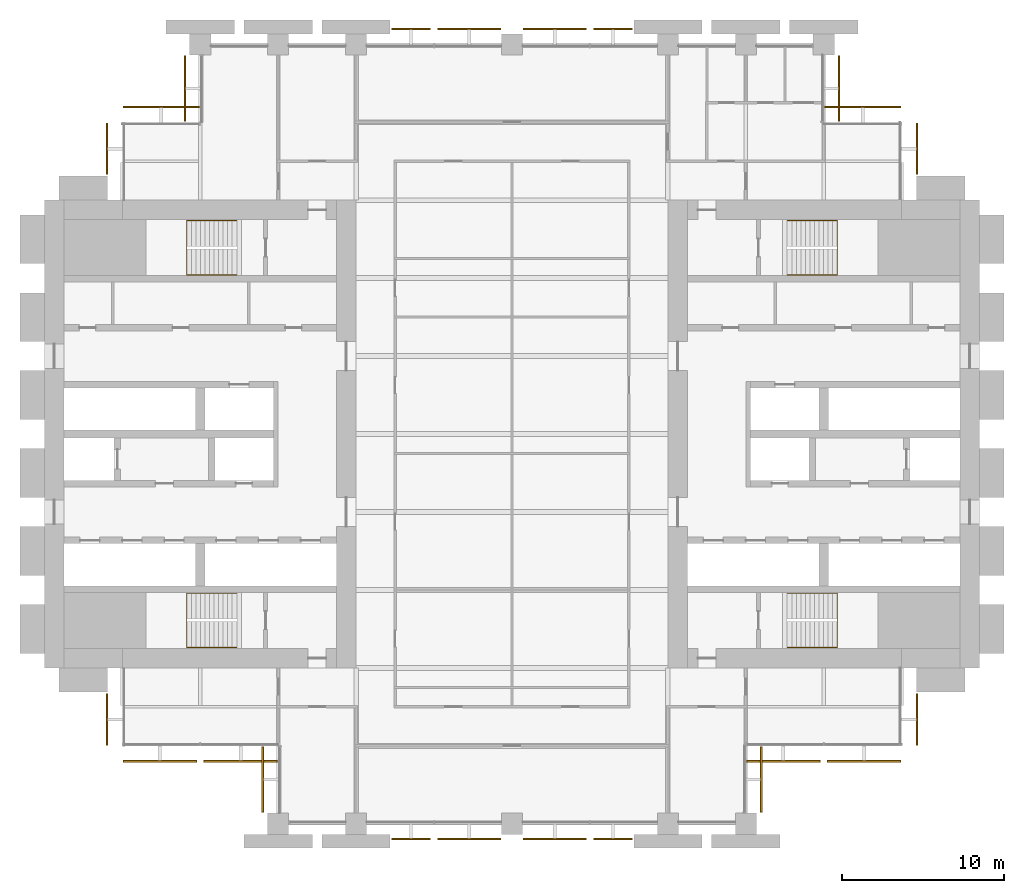
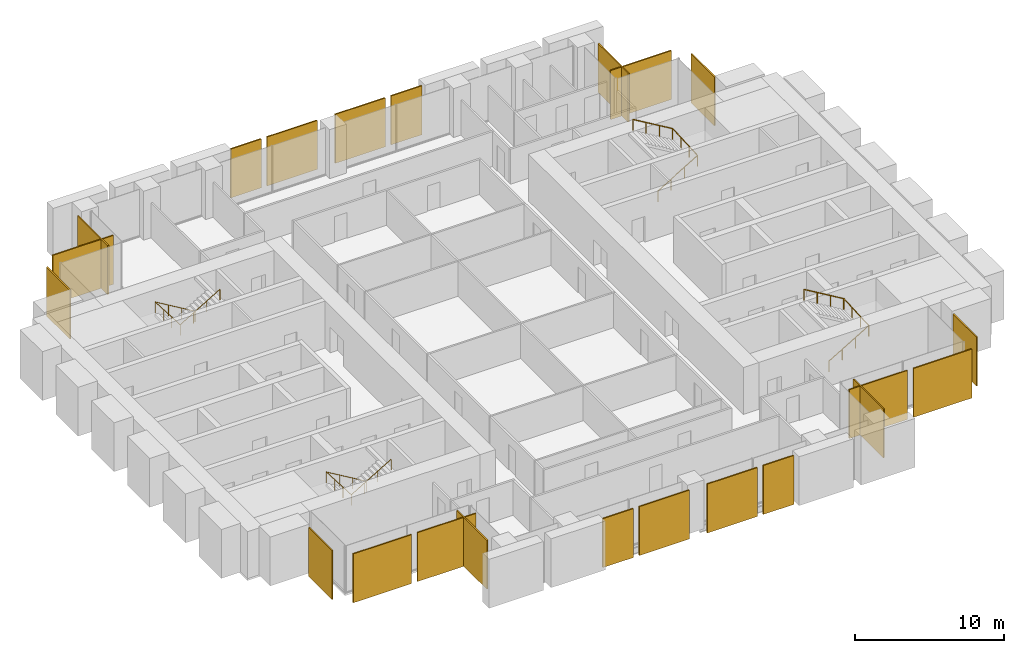
# One storey, part 14 of 14: 22 coverings, 4 railings.
"""IFC4 building model written with IfcOpenShell, lengths in metres."""

from ifc_helpers import new_model, si_unit, direction, frame, origin, origin_2d, place, context, subcontext, project, spatial, polyline, circle, outline, extrude, material, layer, layer_set, type_object, element, save


model = new_model("IFC4")

# Units and contexts
model_context = context("Model", 3, precision=1e-05, world=origin(), true_north=direction((0.0, 1.0)))
body_context = subcontext(model_context, "Body", "Model", "MODEL_VIEW")
ifc_project = project(units=[si_unit("LENGTHUNIT", "METRE"), si_unit("AREAUNIT", "SQUARE_METRE"), si_unit("VOLUMEUNIT", "CUBIC_METRE"), si_unit("PLANEANGLEUNIT", "RADIAN"), si_unit("MASSUNIT", "GRAM", prefix="KILO")], contexts=[model_context])

# Site, building, storey
site_placement = place(None, origin())
site = spatial("IfcSite", under=ifc_project, at=site_placement, CompositionType="ELEMENT")
building_placement = place(site_placement, origin())
building = spatial("IfcBuilding", under=site, at=building_placement, Name="Baori Bourse Tower", CompositionType="ELEMENT")
storey_placement = place(building_placement, frame((0.0, 0.0, 79.0)))
storey = spatial("IfcBuildingStorey", under=building, at=storey_placement, Name="L17", CompositionType="ELEMENT", Elevation=79.0)

# Railings
ifc_material_1 = material(Name="Powder-coated steel balustrade", Category="steel")
railing_type = type_object("IfcRailingType", Name="Core stair handrail", PredefinedType="HANDRAIL", material=ifc_material_1)
railing_1_placement = place(storey_placement, frame((11.85009765625, 14.199951171875, 0.166748046875)))
element("IfcRailing", 1, at=railing_1_placement, inside=storey, type_object=railing_type, Name="L17 ST1 stair handrail 1", PredefinedType="HANDRAIL", context=body_context, shape_type="SweptSolid", body=[
    extrude(circle(Radius=0.02392578125, at=origin_2d()), frame((0.0, 0.0, 0.8759765625), z_axis=(-0.859308565015, 0.0, 0.511457515432), x_axis=(0.0, -1.0, 0.0)), (0.0, 0.0, 1.0), 3.58447265625),
    extrude(circle(Radius=0.02392578125, at=origin_2d()), frame((-3.080078125, 0.0, 2.708984375), z_axis=(0.0, -0.998763387249, 0.04971615724), x_axis=(1.0, 0.0, 0.0)), (0.0, 0.0, 1.0), 3.35400390625),
    extrude(circle(Radius=0.02392578125, at=origin_2d()), frame((-3.080078125, -3.349853515625, 2.8759765625), z_axis=(0.859308565015, 0.0, 0.511457515432), x_axis=(0.0, 1.0, 0.0)), (0.0, 0.0, 1.0), 3.58447265625),
    extrude(circle(Radius=0.02099609375, at=origin_2d()), origin(), (0.0, 0.0, 1.0), 0.851806640625),
    extrude(circle(Radius=0.02099609375, at=origin_2d()), frame((-1.026611328125, 0.0, 0.611083984375)), (0.0, 0.0, 1.0), 0.851806640625),
    extrude(circle(Radius=0.02099609375, at=origin_2d()), frame((-2.053466796875, 0.0, 1.22216796875)), (0.0, 0.0, 1.0), 0.851806640625),
    extrude(circle(Radius=0.02099609375, at=origin_2d()), frame((-3.080078125, 0.0, 1.833251953125)), (0.0, 0.0, 1.0), 0.851806640625),
    extrude(circle(Radius=0.02099609375, at=origin_2d()), frame((-3.080078125, -1.11669921875, 1.888916015625)), (0.0, 0.0, 1.0), 0.851806640625),
    extrude(circle(Radius=0.02099609375, at=origin_2d()), frame((-3.080078125, -2.233154296875, 1.9443359375)), (0.0, 0.0, 1.0), 0.851806640625),
    extrude(circle(Radius=0.02099609375, at=origin_2d()), frame((-3.080078125, -3.349853515625, 2.0)), (0.0, 0.0, 1.0), 0.851806640625),
    extrude(circle(Radius=0.02099609375, at=origin_2d()), frame((-2.053466796875, -3.349853515625, 2.611083984375)), (0.0, 0.0, 1.0), 0.851806640625),
    extrude(circle(Radius=0.02099609375, at=origin_2d()), frame((-1.026611328125, -3.349853515625, 3.22216796875)), (0.0, 0.0, 1.0), 0.851806640625),
    extrude(circle(Radius=0.02099609375, at=origin_2d()), frame((0.0, -3.349853515625, 3.833251953125)), (0.0, 0.0, 1.0), 0.851806640625),
])
railing_2_placement = place(storey_placement, frame((11.85009765625, 37.14990234375, 0.166748046875)))
element("IfcRailing", 2, at=railing_2_placement, inside=storey, type_object=railing_type, Name="L17 ST2 stair handrail 1", PredefinedType="HANDRAIL", context=body_context, shape_type="SweptSolid", body=[
    extrude(circle(Radius=0.02392578125, at=origin_2d()), frame((0.0, 0.0, 0.8759765625), z_axis=(-0.859308565015, 0.0, 0.511457515432), x_axis=(0.0, -1.0, 0.0)), (0.0, 0.0, 1.0), 3.58447265625),
    extrude(circle(Radius=0.02392578125, at=origin_2d()), frame((-3.080078125, 0.0, 2.708984375), z_axis=(0.0, -0.998763387249, 0.04971615724), x_axis=(1.0, 0.0, 0.0)), (0.0, 0.0, 1.0), 3.35400390625),
    extrude(circle(Radius=0.02392578125, at=origin_2d()), frame((-3.080078125, -3.349853515625, 2.8759765625), z_axis=(0.859308565015, 0.0, 0.511457515432), x_axis=(0.0, 1.0, 0.0)), (0.0, 0.0, 1.0), 3.58447265625),
    extrude(circle(Radius=0.02099609375, at=origin_2d()), origin(), (0.0, 0.0, 1.0), 0.851806640625),
    extrude(circle(Radius=0.02099609375, at=origin_2d()), frame((-1.026611328125, 0.0, 0.611083984375)), (0.0, 0.0, 1.0), 0.851806640625),
    extrude(circle(Radius=0.02099609375, at=origin_2d()), frame((-2.053466796875, 0.0, 1.22216796875)), (0.0, 0.0, 1.0), 0.851806640625),
    extrude(circle(Radius=0.02099609375, at=origin_2d()), frame((-3.080078125, 0.0, 1.833251953125)), (0.0, 0.0, 1.0), 0.851806640625),
    extrude(circle(Radius=0.02099609375, at=origin_2d()), frame((-3.080078125, -1.11669921875, 1.888916015625)), (0.0, 0.0, 1.0), 0.851806640625),
    extrude(circle(Radius=0.02099609375, at=origin_2d()), frame((-3.080078125, -2.233154296875, 1.9443359375)), (0.0, 0.0, 1.0), 0.851806640625),
    extrude(circle(Radius=0.02099609375, at=origin_2d()), frame((-3.080078125, -3.349853515625, 2.0)), (0.0, 0.0, 1.0), 0.851806640625),
    extrude(circle(Radius=0.02099609375, at=origin_2d()), frame((-2.053466796875, -3.349853515625, 2.611083984375)), (0.0, 0.0, 1.0), 0.851806640625),
    extrude(circle(Radius=0.02099609375, at=origin_2d()), frame((-1.026611328125, -3.349853515625, 3.22216796875)), (0.0, 0.0, 1.0), 0.851806640625),
    extrude(circle(Radius=0.02099609375, at=origin_2d()), frame((0.0, -3.349853515625, 3.833251953125)), (0.0, 0.0, 1.0), 0.851806640625),
])
railing_3_placement = place(storey_placement, frame((45.75, 10.85009765625, 0.166748046875)))
element("IfcRailing", 3, at=railing_3_placement, inside=storey, type_object=railing_type, Name="L17 ST3 stair handrail 1", PredefinedType="HANDRAIL", context=body_context, shape_type="SweptSolid", body=[
    extrude(circle(Radius=0.02392578125, at=origin_2d()), frame((0.0, 0.0, 0.8759765625), z_axis=(0.859308565015, 0.0, 0.511457515432), x_axis=(0.0, 1.0, 0.0)), (0.0, 0.0, 1.0), 3.58447265625),
    extrude(circle(Radius=0.02392578125, at=origin_2d()), frame((3.080078125, 0.0, 2.708984375), z_axis=(0.0, 0.998763387249, 0.04971615724), x_axis=(-1.0, 0.0, 0.0)), (0.0, 0.0, 1.0), 3.35400390625),
    extrude(circle(Radius=0.02392578125, at=origin_2d()), frame((3.080078125, 3.349853515625, 2.8759765625), z_axis=(-0.859308565015, 0.0, 0.511457515432), x_axis=(0.0, -1.0, 0.0)), (0.0, 0.0, 1.0), 3.58447265625),
    extrude(circle(Radius=0.02099609375, at=origin_2d()), origin(), (0.0, 0.0, 1.0), 0.851806640625),
    extrude(circle(Radius=0.02099609375, at=origin_2d()), frame((1.026611328125, 0.0, 0.611083984375)), (0.0, 0.0, 1.0), 0.851806640625),
    extrude(circle(Radius=0.02099609375, at=origin_2d()), frame((2.053466796875, 0.0, 1.22216796875)), (0.0, 0.0, 1.0), 0.851806640625),
    extrude(circle(Radius=0.02099609375, at=origin_2d()), frame((3.080078125, 0.0, 1.833251953125)), (0.0, 0.0, 1.0), 0.851806640625),
    extrude(circle(Radius=0.02099609375, at=origin_2d()), frame((3.080078125, 1.11669921875, 1.888916015625)), (0.0, 0.0, 1.0), 0.851806640625),
    extrude(circle(Radius=0.02099609375, at=origin_2d()), frame((3.080078125, 2.233154296875, 1.9443359375)), (0.0, 0.0, 1.0), 0.851806640625),
    extrude(circle(Radius=0.02099609375, at=origin_2d()), frame((3.080078125, 3.349853515625, 2.0)), (0.0, 0.0, 1.0), 0.851806640625),
    extrude(circle(Radius=0.02099609375, at=origin_2d()), frame((2.053466796875, 3.349853515625, 2.611083984375)), (0.0, 0.0, 1.0), 0.851806640625),
    extrude(circle(Radius=0.02099609375, at=origin_2d()), frame((1.026611328125, 3.349853515625, 3.22216796875)), (0.0, 0.0, 1.0), 0.851806640625),
    extrude(circle(Radius=0.02099609375, at=origin_2d()), frame((0.0, 3.349853515625, 3.833251953125)), (0.0, 0.0, 1.0), 0.851806640625),
])
railing_4_placement = place(storey_placement, frame((45.75, 33.800048828125, 0.166748046875)))
element("IfcRailing", 4, at=railing_4_placement, inside=storey, type_object=railing_type, Name="L17 ST4 stair handrail 1", PredefinedType="HANDRAIL", context=body_context, shape_type="SweptSolid", body=[
    extrude(circle(Radius=0.02392578125, at=origin_2d()), frame((0.0, 0.0, 0.8759765625), z_axis=(0.859308565015, 0.0, 0.511457515432), x_axis=(0.0, 1.0, 0.0)), (0.0, 0.0, 1.0), 3.58447265625),
    extrude(circle(Radius=0.02392578125, at=origin_2d()), frame((3.080078125, 0.0, 2.708984375), z_axis=(0.0, 0.998763387249, 0.04971615724), x_axis=(-1.0, 0.0, 0.0)), (0.0, 0.0, 1.0), 3.35400390625),
    extrude(circle(Radius=0.02392578125, at=origin_2d()), frame((3.080078125, 3.349853515625, 2.8759765625), z_axis=(-0.859308565015, 0.0, 0.511457515432), x_axis=(0.0, -1.0, 0.0)), (0.0, 0.0, 1.0), 3.58447265625),
    extrude(circle(Radius=0.02099609375, at=origin_2d()), origin(), (0.0, 0.0, 1.0), 0.851806640625),
    extrude(circle(Radius=0.02099609375, at=origin_2d()), frame((1.026611328125, 0.0, 0.611083984375)), (0.0, 0.0, 1.0), 0.851806640625),
    extrude(circle(Radius=0.02099609375, at=origin_2d()), frame((2.053466796875, 0.0, 1.22216796875)), (0.0, 0.0, 1.0), 0.851806640625),
    extrude(circle(Radius=0.02099609375, at=origin_2d()), frame((3.080078125, 0.0, 1.833251953125)), (0.0, 0.0, 1.0), 0.851806640625),
    extrude(circle(Radius=0.02099609375, at=origin_2d()), frame((3.080078125, 1.11669921875, 1.888916015625)), (0.0, 0.0, 1.0), 0.851806640625),
    extrude(circle(Radius=0.02099609375, at=origin_2d()), frame((3.080078125, 2.233154296875, 1.9443359375)), (0.0, 0.0, 1.0), 0.851806640625),
    extrude(circle(Radius=0.02099609375, at=origin_2d()), frame((3.080078125, 3.349853515625, 2.0)), (0.0, 0.0, 1.0), 0.851806640625),
    extrude(circle(Radius=0.02099609375, at=origin_2d()), frame((2.053466796875, 3.349853515625, 2.611083984375)), (0.0, 0.0, 1.0), 0.851806640625),
    extrude(circle(Radius=0.02099609375, at=origin_2d()), frame((1.026611328125, 3.349853515625, 3.22216796875)), (0.0, 0.0, 1.0), 0.851806640625),
    extrude(circle(Radius=0.02099609375, at=origin_2d()), frame((0.0, 3.349853515625, 3.833251953125)), (0.0, 0.0, 1.0), 0.851806640625),
])

# Coverings
ifc_material_2 = material(Name="Pale anodised aluminium", Category="aluminium")
ifc_layer = layer(ifc_material_2, 0.10009765625)
ifc_layer_set = layer_set([ifc_layer], Name="OS3 Outer skin screen panel")
covering_type = type_object("IfcCoveringType", Name="OS3 Outer skin screen panel", PredefinedType="CLADDING", material=ifc_layer_set)
covering_1_placement = place(storey_placement, frame((0.0, 0.0, -0.159912109375)))
element("IfcCovering", 5, at=covering_1_placement, inside=storey, type_object=covering_type, Name="Outer skin screen L17 1", PredefinedType="CLADDING", context=body_context, shape_type="SweptSolid", body=[
    extrude(outline(polyline([(53.699951171875, 43.14990234375), (53.699951171875, 40.0), (53.800048828125, 40.0), (53.800048828125, 43.14990234375), (53.699951171875, 43.14990234375)])), origin(), (0.0, 0.0, 1.0), 4.0),
])
covering_2_placement = place(storey_placement, frame((0.0, 0.0, -0.159912109375)))
element("IfcCovering", 6, at=covering_2_placement, inside=storey, type_object=covering_type, Name="Outer skin screen L17 2", PredefinedType="CLADDING", context=body_context, shape_type="SweptSolid", body=[
    extrude(outline(polyline([(48.050048828125, 44.10009765625), (52.75, 44.10009765625), (52.75, 44.199951171875), (48.050048828125, 44.199951171875), (48.050048828125, 44.10009765625)])), origin(), (0.0, 0.0, 1.0), 4.0),
])
covering_3_placement = place(storey_placement, frame((0.0, 0.0, -0.159912109375)))
element("IfcCovering", 7, at=covering_3_placement, inside=storey, type_object=covering_type, Name="Outer skin screen L17 3", PredefinedType="CLADDING", context=body_context, shape_type="SweptSolid", body=[
    extrude(outline(polyline([(48.89990234375, 47.300048828125), (48.89990234375, 43.25), (49.0, 43.25), (49.0, 47.300048828125), (48.89990234375, 47.300048828125)])), origin(), (0.0, 0.0, 1.0), 4.0),
])
covering_4_placement = place(storey_placement, frame((0.0, 0.0, -0.159912109375)))
element("IfcCovering", 8, at=covering_4_placement, inside=storey, type_object=covering_type, Name="Outer skin screen L17 4", PredefinedType="CLADDING", context=body_context, shape_type="SweptSolid", body=[
    extrude(outline(polyline([(33.824951171875, 48.89990234375), (36.199951171875, 48.89990234375), (36.199951171875, 49.0), (33.824951171875, 49.0), (33.824951171875, 48.89990234375)])), origin(), (0.0, 0.0, 1.0), 4.0),
])
covering_5_placement = place(storey_placement, frame((0.0, 0.0, -0.159912109375)))
element("IfcCovering", 9, at=covering_5_placement, inside=storey, type_object=covering_type, Name="Outer skin screen L17 5", PredefinedType="CLADDING", context=body_context, shape_type="SweptSolid", body=[
    extrude(outline(polyline([(29.5, 48.89990234375), (33.375, 48.89990234375), (33.375, 49.0), (29.5, 49.0), (29.5, 48.89990234375)])), origin(), (0.0, 0.0, 1.0), 4.0),
])
covering_6_placement = place(storey_placement, frame((0.0, 0.0, -0.159912109375)))
element("IfcCovering", 10, at=covering_6_placement, inside=storey, type_object=covering_type, Name="Outer skin screen L17 6", PredefinedType="CLADDING", context=body_context, shape_type="SweptSolid", body=[
    extrude(outline(polyline([(24.22509765625, 48.89990234375), (28.10009765625, 48.89990234375), (28.10009765625, 49.0), (24.22509765625, 49.0), (24.22509765625, 48.89990234375)])), origin(), (0.0, 0.0, 1.0), 4.0),
])
covering_7_placement = place(storey_placement, frame((0.0, 0.0, -0.159912109375)))
element("IfcCovering", 11, at=covering_7_placement, inside=storey, type_object=covering_type, Name="Outer skin screen L17 7", PredefinedType="CLADDING", context=body_context, shape_type="SweptSolid", body=[
    extrude(outline(polyline([(21.39990234375, 48.89990234375), (23.77490234375, 48.89990234375), (23.77490234375, 49.0), (21.39990234375, 49.0), (21.39990234375, 48.89990234375)])), origin(), (0.0, 0.0, 1.0), 4.0),
])
covering_8_placement = place(storey_placement, frame((0.0, 0.0, -0.159912109375)))
element("IfcCovering", 12, at=covering_8_placement, inside=storey, type_object=covering_type, Name="Outer skin screen L17 8", PredefinedType="CLADDING", context=body_context, shape_type="SweptSolid", body=[
    extrude(outline(polyline([(8.699951171875, 43.25), (8.699951171875, 47.300048828125), (8.60009765625, 47.300048828125), (8.60009765625, 43.25), (8.699951171875, 43.25)])), origin(), (0.0, 0.0, 1.0), 4.0),
])
covering_9_placement = place(storey_placement, frame((0.0, 0.0, -0.159912109375)))
element("IfcCovering", 13, at=covering_9_placement, inside=storey, type_object=covering_type, Name="Outer skin screen L17 9", PredefinedType="CLADDING", context=body_context, shape_type="SweptSolid", body=[
    extrude(outline(polyline([(4.85009765625, 44.10009765625), (9.550048828125, 44.10009765625), (9.550048828125, 44.199951171875), (4.85009765625, 44.199951171875), (4.85009765625, 44.10009765625)])), origin(), (0.0, 0.0, 1.0), 4.0),
])
covering_10_placement = place(storey_placement, frame((0.0, 0.0, -0.159912109375)))
element("IfcCovering", 14, at=covering_10_placement, inside=storey, type_object=covering_type, Name="Outer skin screen L17 10", PredefinedType="CLADDING", context=body_context, shape_type="SweptSolid", body=[
    extrude(outline(polyline([(3.89990234375, 40.0), (3.89990234375, 43.14990234375), (3.800048828125, 43.14990234375), (3.800048828125, 40.0), (3.89990234375, 40.0), (3.89990234375, 40.0)])), origin(), (0.0, 0.0, 1.0), 4.0),
])
covering_11_placement = place(storey_placement, frame((0.0, 0.0, -0.159912109375)))
element("IfcCovering", 15, at=covering_11_placement, inside=storey, type_object=covering_type, Name="Outer skin screen L17 11", PredefinedType="CLADDING", context=body_context, shape_type="SweptSolid", body=[
    extrude(outline(polyline([(3.89990234375, 4.85009765625), (3.89990234375, 8.0), (3.89990234375, 8.0), (3.800048828125, 8.0), (3.800048828125, 4.85009765625), (3.89990234375, 4.85009765625)])), origin(), (0.0, 0.0, 1.0), 4.0),
])
covering_12_placement = place(storey_placement, frame((0.0, 0.0, -0.159912109375)))
element("IfcCovering", 16, at=covering_12_placement, inside=storey, type_object=covering_type, Name="Outer skin screen L17 12", PredefinedType="CLADDING", context=body_context, shape_type="SweptSolid", body=[
    extrude(outline(polyline([(9.375, 3.89990234375), (4.85009765625, 3.89990234375), (4.85009765625, 3.800048828125), (9.375, 3.800048828125), (9.375, 3.89990234375)])), origin(), (0.0, 0.0, 1.0), 4.0),
])
covering_13_placement = place(storey_placement, frame((0.0, 0.0, -0.159912109375)))
element("IfcCovering", 17, at=covering_13_placement, inside=storey, type_object=covering_type, Name="Outer skin screen L17 13", PredefinedType="CLADDING", context=body_context, shape_type="SweptSolid", body=[
    extrude(outline(polyline([(14.35009765625, 3.89990234375), (9.824951171875, 3.89990234375), (9.824951171875, 3.800048828125), (14.35009765625, 3.800048828125), (14.35009765625, 3.89990234375)])), origin(), (0.0, 0.0, 1.0), 4.0),
])
covering_14_placement = place(storey_placement, frame((0.0, 0.0, -0.159912109375)))
element("IfcCovering", 18, at=covering_14_placement, inside=storey, type_object=covering_type, Name="Outer skin screen L17 14", PredefinedType="CLADDING", context=body_context, shape_type="SweptSolid", body=[
    extrude(outline(polyline([(13.5, 0.699951171875), (13.5, 4.75), (13.39990234375, 4.75), (13.39990234375, 0.699951171875), (13.5, 0.699951171875)])), origin(), (0.0, 0.0, 1.0), 4.0),
])
covering_15_placement = place(storey_placement, frame((0.0, 0.0, -0.159912109375)))
element("IfcCovering", 19, at=covering_15_placement, inside=storey, type_object=covering_type, Name="Outer skin screen L17 15", PredefinedType="CLADDING", context=body_context, shape_type="SweptSolid", body=[
    extrude(outline(polyline([(23.77490234375, -0.89990234375), (21.39990234375, -0.89990234375), (21.39990234375, -1.0), (23.77490234375, -1.0), (23.77490234375, -0.89990234375)])), origin(), (0.0, 0.0, 1.0), 4.0),
])
covering_16_placement = place(storey_placement, frame((0.0, 0.0, -0.159912109375)))
element("IfcCovering", 20, at=covering_16_placement, inside=storey, type_object=covering_type, Name="Outer skin screen L17 16", PredefinedType="CLADDING", context=body_context, shape_type="SweptSolid", body=[
    extrude(outline(polyline([(28.10009765625, -0.89990234375), (24.22509765625, -0.89990234375), (24.22509765625, -1.0), (28.10009765625, -1.0), (28.10009765625, -0.89990234375)])), origin(), (0.0, 0.0, 1.0), 4.0),
])
covering_17_placement = place(storey_placement, frame((0.0, 0.0, -0.159912109375)))
element("IfcCovering", 21, at=covering_17_placement, inside=storey, type_object=covering_type, Name="Outer skin screen L17 17", PredefinedType="CLADDING", context=body_context, shape_type="SweptSolid", body=[
    extrude(outline(polyline([(33.375, -0.89990234375), (29.5, -0.89990234375), (29.5, -1.0), (33.375, -1.0), (33.375, -0.89990234375)])), origin(), (0.0, 0.0, 1.0), 4.0),
])
covering_18_placement = place(storey_placement, frame((0.0, 0.0, -0.159912109375)))
element("IfcCovering", 22, at=covering_18_placement, inside=storey, type_object=covering_type, Name="Outer skin screen L17 18", PredefinedType="CLADDING", context=body_context, shape_type="SweptSolid", body=[
    extrude(outline(polyline([(36.199951171875, -0.89990234375), (33.824951171875, -0.89990234375), (33.824951171875, -1.0), (36.199951171875, -1.0), (36.199951171875, -0.89990234375)])), origin(), (0.0, 0.0, 1.0), 4.0),
])
covering_19_placement = place(storey_placement, frame((0.0, 0.0, -0.159912109375)))
element("IfcCovering", 23, at=covering_19_placement, inside=storey, type_object=covering_type, Name="Outer skin screen L17 19", PredefinedType="CLADDING", context=body_context, shape_type="SweptSolid", body=[
    extrude(outline(polyline([(44.10009765625, 4.75), (44.10009765625, 0.699951171875), (44.199951171875, 0.699951171875), (44.199951171875, 4.75), (44.10009765625, 4.75)])), origin(), (0.0, 0.0, 1.0), 4.0),
])
covering_20_placement = place(storey_placement, frame((0.0, 0.0, -0.159912109375)))
element("IfcCovering", 24, at=covering_20_placement, inside=storey, type_object=covering_type, Name="Outer skin screen L17 20", PredefinedType="CLADDING", context=body_context, shape_type="SweptSolid", body=[
    extrude(outline(polyline([(47.77490234375, 3.89990234375), (43.25, 3.89990234375), (43.25, 3.800048828125), (47.77490234375, 3.800048828125), (47.77490234375, 3.89990234375)])), origin(), (0.0, 0.0, 1.0), 4.0),
])
covering_21_placement = place(storey_placement, frame((0.0, 0.0, -0.159912109375)))
element("IfcCovering", 25, at=covering_21_placement, inside=storey, type_object=covering_type, Name="Outer skin screen L17 21", PredefinedType="CLADDING", context=body_context, shape_type="SweptSolid", body=[
    extrude(outline(polyline([(52.75, 3.89990234375), (48.22509765625, 3.89990234375), (48.22509765625, 3.800048828125), (52.75, 3.800048828125), (52.75, 3.89990234375)])), origin(), (0.0, 0.0, 1.0), 4.0),
])
covering_22_placement = place(storey_placement, frame((0.0, 0.0, -0.159912109375)))
element("IfcCovering", 26, at=covering_22_placement, inside=storey, type_object=covering_type, Name="Outer skin screen L17 22", PredefinedType="CLADDING", context=body_context, shape_type="SweptSolid", body=[
    extrude(outline(polyline([(53.699951171875, 8.0), (53.699951171875, 4.85009765625), (53.800048828125, 4.85009765625), (53.800048828125, 8.0), (53.699951171875, 8.0)])), origin(), (0.0, 0.0, 1.0), 4.0),
])

save(model, "model.ifc")
